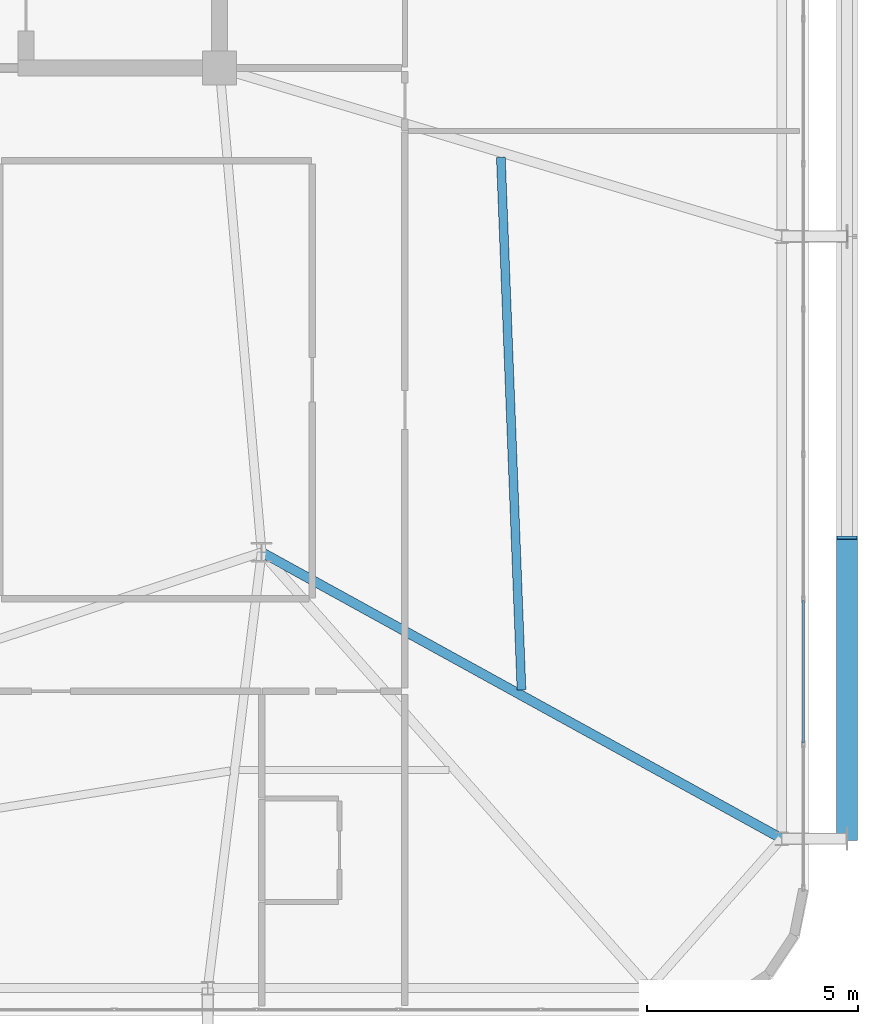
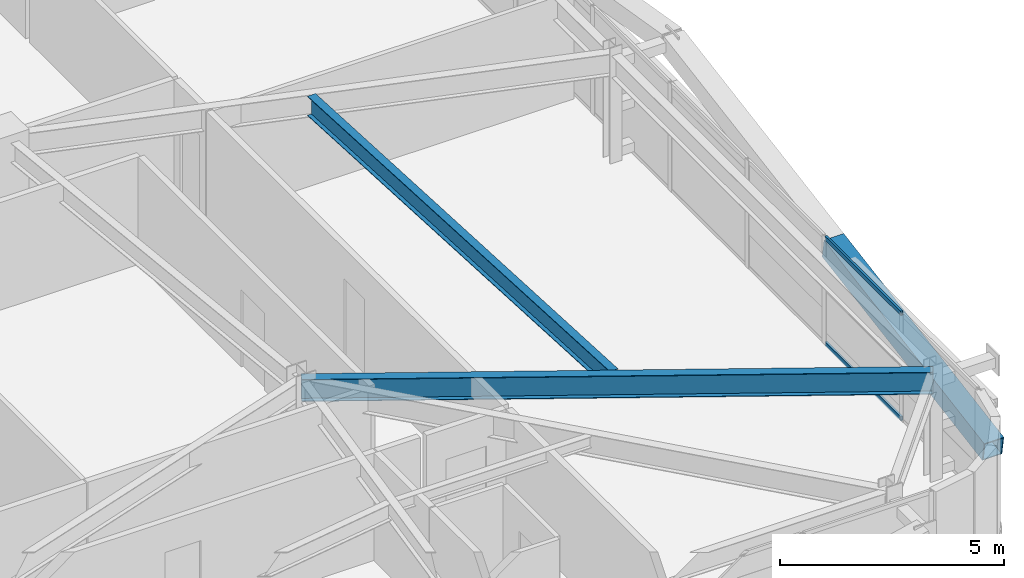
# One storey, part 25 of 58: 3 members, 2 beams, 1 element without a shape of its own.
"""IFC4 building model written with IfcOpenShell, lengths in metres."""

from ifc_helpers import new_model, si_unit, direction, frame, origin, origin_2d, place, context, subcontext, project, spatial, hollow_rectangle, i_section, extrude, source, transform, mapped, material, layer, layer_set, material_profile, profile_set, type_object, element, aggregate, save


model = new_model("IFC4")

# Units and contexts
model_context = context("Model", 3, precision=1e-05, world=origin(), true_north=direction((0.0, 1.0)))
body_context = subcontext(model_context, "Body", "Model", "MODEL_VIEW")
ifc_project = project(units=[si_unit("LENGTHUNIT", "METRE"), si_unit("AREAUNIT", "SQUARE_METRE"), si_unit("VOLUMEUNIT", "CUBIC_METRE"), si_unit("PLANEANGLEUNIT", "RADIAN"), si_unit("MASSUNIT", "GRAM", prefix="KILO")], contexts=[model_context])

# Site, building, storey
site_placement = place(None, origin())
site = spatial("IfcSite", under=ifc_project, at=site_placement, CompositionType="ELEMENT")
building_placement = place(site_placement, origin())
building = spatial("IfcBuilding", under=site, at=building_placement, Name="Taldren Reach Tower", CompositionType="ELEMENT")
storey_placement = place(building_placement, frame((0.0, 0.0, 35.699951171875)))
storey = spatial("IfcBuildingStorey", under=building, at=storey_placement, Name="L10", CompositionType="ELEMENT", Elevation=35.699951171875)

# Beams
ifc_material_1 = material(Name="Steel Gr 350 (350PLUS)", Category="steel")
ifc_material_profile_1 = material_profile(ifc_material_1, i_section(OverallWidth=0.22802734375, OverallDepth=0.60205078125, WebThickness=0.010498046875, FlangeThickness=0.014892578125, at=origin_2d()), Name="610UB101")
ifc_profile_set_1 = profile_set([ifc_material_profile_1], Name="Steel Gr 350 (350PLUS)")
beam_type_1 = type_object("IfcBeamType", Name="BM-UB610B", PredefinedType="BEAM", material=ifc_profile_set_1)
shared_shape_1 = source(origin(), body_context, "Body", "SweptSolid", [
    extrude(i_section(OverallWidth=0.22802734375, OverallDepth=0.60205078125, WebThickness=0.010498046875, FlangeThickness=0.014892578125, at=origin_2d()), origin(), (0.0, 0.0, 1.0), 14.098388671875),
])
beam_1_placement = place(storey_placement, frame((52.0, 12.5, 2.629150390625), z_axis=(0.875991325783, -0.482326857175, 0.0), x_axis=(0.482326857175, 0.875991325783, 0.0)))
element("IfcBeam", 1, at=beam_1_placement, inside=storey, type_object=beam_type_1, Name="Primary floor girder B1-E1 L10", PredefinedType="BEAM", context=body_context, shape_type="MappedRepresentation", body=[
    mapped(shared_shape_1, transform((0.0, 0.0, 0.0), scale=1.0)),
])
ifc_material_profile_2 = material_profile(ifc_material_1, i_section(OverallWidth=0.208984375, OverallDepth=0.532958984375, WebThickness=0.01025390625, FlangeThickness=0.015625, at=origin_2d()), Name="530UB92.4")
ifc_profile_set_2 = profile_set([ifc_material_profile_2], Name="Steel Gr 350 (350PLUS)")
beam_type_2 = type_object("IfcBeamType", Name="BM-UB530A", PredefinedType="BEAM", material=ifc_profile_set_2)
shared_shape_2 = source(origin(), body_context, "Body", "SweptSolid", [
    extrude(i_section(OverallWidth=0.208984375, OverallDepth=0.532958984375, WebThickness=0.01025390625, FlangeThickness=0.015625, at=origin_2d()), origin(), (0.0, 0.0, 1.0), 12.65625),
])
beam_2_placement = place(storey_placement, frame((58.169921875, 9.23291015625, 2.66357421875), z_axis=(-0.0387346395, 0.99924953225, 0.0), x_axis=(-0.99924953225, -0.0387346395, 0.0)))
element("IfcBeam", 2, at=beam_2_placement, inside=storey, type_object=beam_type_2, Name="Secondary floor beam B1 J7 L10", PredefinedType="BEAM", context=body_context, shape_type="MappedRepresentation", body=[
    mapped(shared_shape_2, transform((0.0, 0.0, 0.0), scale=1.0)),
])

# Member
ifc_material_2 = material(Name="Steel Gr 450 (C450L0)", Category="steel")
ifc_material_profile_3 = material_profile(ifc_material_2, hollow_rectangle(XDim=0.510009765625, YDim=0.510009765625, WallThickness=0.02001953125, at=origin_2d()), Name="510x510x20.0SHS")
ifc_profile_set_3 = profile_set([ifc_material_profile_3], Name="Steel Gr 450 (C450L0)")
member_type_1 = type_object("IfcMemberType", Name="MB-EXO508", PredefinedType="BRACE", material=ifc_profile_set_3)
shared_shape_3 = source(origin(), body_context, "Body", "SweptSolid", [
    extrude(hollow_rectangle(XDim=0.510009765625, YDim=0.510009765625, WallThickness=0.02001953125, at=origin_2d()), origin(), (0.0, 0.0, 1.0), 7.252685546875),
])
member_1_placement = place(storey_placement, frame((65.89990234375, 5.699951171875, 0.219970703125), z_axis=(0.0, 0.985865800628, 0.167536930711), x_axis=(-1.0, 0.0, 0.0)))
element("IfcMember", 3, at=member_1_placement, inside=storey, type_object=member_type_1, Name="Exoskeleton Diagrid Brace B1-E1 L10", PredefinedType="BRACE", context=body_context, shape_type="MappedRepresentation", body=[
    mapped(shared_shape_3, transform((0.0, 0.0, 0.0), scale=1.0)),
])

# Curtain wall, members
ifc_material_3 = material(Name="Aluminium and Low-E Glass Unitised System", Category="aluminium")
ifc_layer = layer(ifc_material_3, 0.159912109375)
ifc_layer_set = layer_set([ifc_layer], Name="Aluminium and Low-E Glass Unitised System")
curtain_wall_type = type_object("IfcCurtainWallType", Name="CW-SYS-2", PredefinedType="NOTDEFINED", material=ifc_layer_set)
curtain_wall_placement = place(storey_placement, origin())
curtain_wall = element("IfcCurtainWall", 4, at=curtain_wall_placement, inside=storey, type_object=curtain_wall_type, Name="Unitised curtain wall CW-L10-E", PredefinedType="NOTDEFINED")
ifc_material_4 = material(Name="Anodised Aluminium 6063-T6", Category="aluminium")
ifc_material_profile_4 = material_profile(ifc_material_4, hollow_rectangle(XDim=0.054931640625, YDim=0.1201171875, WallThickness=0.0029296875, at=origin_2d()), Name="ALU-120x55x3RHS")
ifc_profile_set_4 = profile_set([ifc_material_profile_4], Name="Anodised Aluminium 6063-T6")
member_type_2 = type_object("IfcMemberType", Name="CW-TRN-135", PredefinedType="USERDEFINED", material=ifc_profile_set_4)
shared_shape_4 = source(origin(), body_context, "Body", "SweptSolid", [
    extrude(hollow_rectangle(XDim=0.054931640625, YDim=0.1201171875, WallThickness=0.0029296875, at=origin_2d()), origin(), (0.0, 0.0, 1.0), 3.37939453125),
])
member_2_placement = place(storey_placement, frame((64.860107421875, 7.97705078125, 0.027587890625), z_axis=(0.0, 1.0, 0.0), x_axis=(-1.0, 0.0, 0.0)))
member_2 = element("IfcMember", 5, at=member_2_placement, type_object=member_type_2, Name="CW-2 transom 2.1", ObjectType="TRANSOM", PredefinedType="USERDEFINED", context=body_context, shape_type="MappedRepresentation", body=[
    mapped(shared_shape_4, transform((0.0, 0.0, 0.0), scale=1.0)),
])
member_3_placement = place(storey_placement, frame((64.860107421875, 7.97705078125, 2.902587890625), z_axis=(0.0, 1.0, 0.0), x_axis=(-1.0, 0.0, 0.0)))
member_3 = element("IfcMember", 6, at=member_3_placement, type_object=member_type_2, Name="CW-2 transom 2.2", ObjectType="TRANSOM", PredefinedType="USERDEFINED", context=body_context, shape_type="MappedRepresentation", body=[
    mapped(shared_shape_4, transform((0.0, 0.0, 0.0), scale=1.0)),
])
aggregate(curtain_wall, [member_2, member_3])

save(model, "model.ifc")
